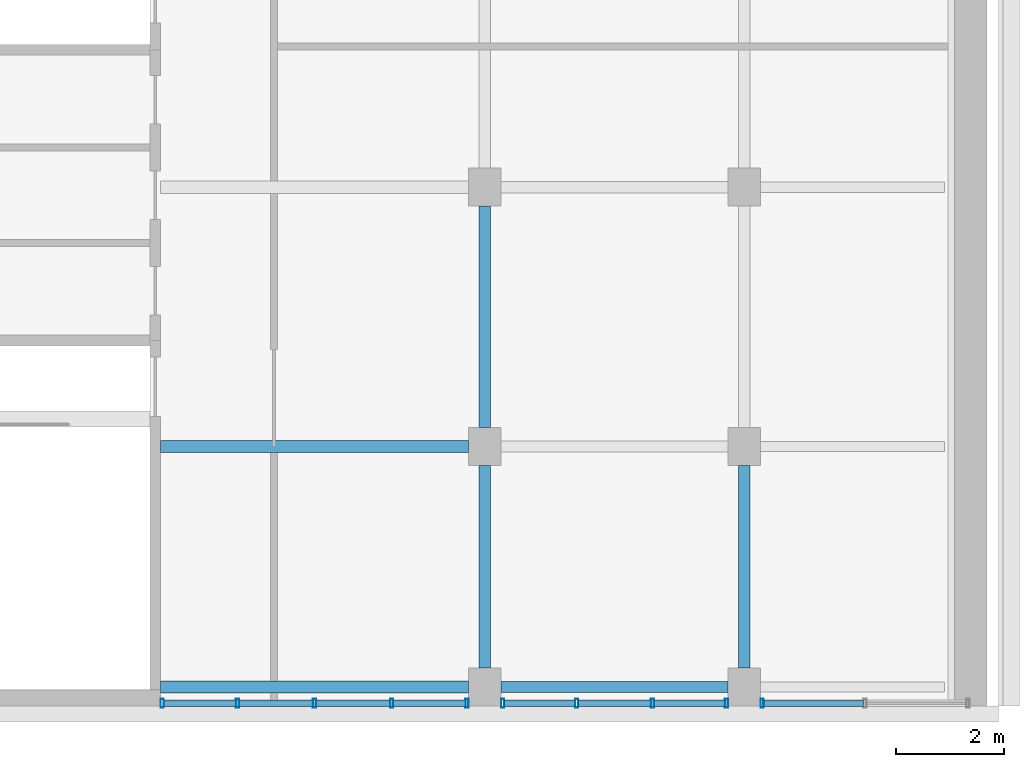
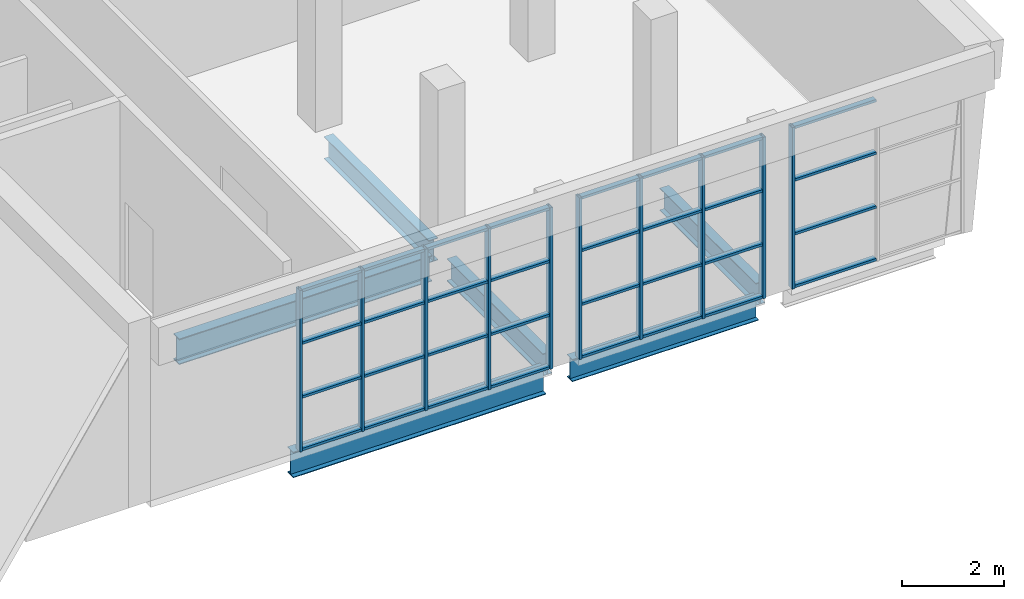
# One storey, part 7 of 22: 42 members, 6 beams, 3 elements without a shape of their own.
"""IFC4 building model written with IfcOpenShell, lengths in metres."""

import ifcopenshell
import ifcopenshell.guid

model = None  # the IFC model being written
_history = None  # IfcOwnerHistory: only IFC2X3 demands one
_inside = {}  # id of a spatial element -> (the spatial element, [elements in it])
_under = {}  # id of a project, library or spatial element -> (it, [spatial elements below it])
_declared = {}  # id of a project -> (the project, [libraries it declares])
_typed = {}  # id of a type object -> (the type object, [elements of that type])
_made_of = {}  # id of a material, layer set ... -> (it, [elements and type objects made of it])


def new_model(schema):
    """Start an empty IFC model of exactly this schema.

    Asked for "IFC4X3", IfcOpenShell would pick the latest addendum, in which some entities
    have other attributes; the version numbers below select the first issue.
    IFC2X3 requires an IfcOwnerHistory on every rooted entity: one is made here for all.
    """
    global model, _history
    if schema == "IFC4X3":
        model = ifcopenshell.file(schema_version=(4, 3, 0, 0))
    else:
        model = ifcopenshell.file(schema=schema)
    _inside.clear()
    _under.clear()
    _declared.clear()
    _typed.clear()
    _made_of.clear()
    _history = None
    if model.schema == "IFC2X3":
        org = make("IfcOrganization", Name="unknown")
        user = make(
            "IfcPersonAndOrganization",
            ThePerson=make("IfcPerson", FamilyName="unknown"),
            TheOrganization=org,
        )
        app = make(
            "IfcApplication",
            ApplicationDeveloper=org,
            Version="unknown",
            ApplicationFullName="unknown",
            ApplicationIdentifier="unknown",
        )
        _history = make(
            "IfcOwnerHistory",
            OwningUser=user,
            OwningApplication=app,
            ChangeAction="ADDED",
            CreationDate=0,
        )
    return model


def make(cls, **values):
    """One entity of the class cls with the attributes given. An attribute that is None is left unset."""
    return model.create_entity(
        cls, **{name: value for name, value in values.items() if value is not None}
    )


def rooted(cls, **values):
    """An entity with a GlobalId (a new one), such as an element, a storey or a relation."""
    return make(cls, GlobalId=ifcopenshell.guid.new(), OwnerHistory=_history, **values)


def si_unit(unit_type, name, prefix=None):
    """IfcSIUnit, for example si_unit("LENGTHUNIT", "METRE", prefix="MILLI")."""
    return make("IfcSIUnit", UnitType=unit_type, Prefix=prefix, Name=name)


def assignment(units):
    """IfcUnitAssignment: the units of a project."""
    return None if units is None else make("IfcUnitAssignment", Units=units)


def point(xyz):
    """IfcCartesianPoint."""
    return None if xyz is None else make("IfcCartesianPoint", Coordinates=xyz)


def direction(xyz):
    """IfcDirection."""
    return None if xyz is None else make("IfcDirection", DirectionRatios=xyz)


def frame(location, z_axis=None, x_axis=None):
    """IfcAxis2Placement3D, a coordinate frame: its origin and axes. An axis left out is left unset."""
    return make(
        "IfcAxis2Placement3D",
        Location=point(location),
        Axis=direction(z_axis),
        RefDirection=direction(x_axis),
    )


def frame_2d(location, x_axis=None):
    """IfcAxis2Placement2D, a coordinate frame in the plane: its origin and x axis."""
    return make(
        "IfcAxis2Placement2D", Location=point(location), RefDirection=direction(x_axis)
    )


def origin():
    """The frame at (0, 0, 0) with its axes left unset."""
    return frame((0.0, 0.0, 0.0))


def origin_2d():
    """The frame at (0, 0) in the plane with its x axis left unset."""
    return frame_2d((0.0, 0.0))


def place(relative_to, where):
    """IfcLocalPlacement: puts the frame where relative to a parent placement (None: the world)."""
    return make(
        "IfcLocalPlacement", PlacementRelTo=relative_to, RelativePlacement=where
    )


def context(
    kind, dimensions, precision=None, world=None, true_north=None, identifier=None
):
    """IfcGeometricRepresentationContext, for example the 3D "Model" context."""
    return make(
        "IfcGeometricRepresentationContext",
        ContextIdentifier=identifier,
        ContextType=kind,
        CoordinateSpaceDimension=dimensions,
        Precision=precision,
        WorldCoordinateSystem=world,
        TrueNorth=true_north,
    )


def subcontext(parent, identifier, kind, view, scale=None):
    """IfcGeometricRepresentationSubContext, for example "Body" below "Model"."""
    return make(
        "IfcGeometricRepresentationSubContext",
        ContextIdentifier=identifier,
        ContextType=kind,
        ParentContext=parent,
        TargetScale=scale,
        TargetView=view,
    )


def project(units=None, contexts=None):
    """IfcProject with its units and contexts."""
    return rooted(
        "IfcProject",
        Name="project",
        RepresentationContexts=contexts,
        UnitsInContext=assignment(units),
    )


def spatial(cls, under=None, at=None, **own):
    """A site, building, storey or space (cls), placed at a placement, below another one or the project."""
    s = rooted(cls, ObjectPlacement=at, **own)
    if under is not None:
        _under.setdefault(under.id(), (under, []))[1].append(s)
    return s


def profile(cls, at=None, kind="AREA", **sizes):
    """A parametric profile (cls). Its sizes go by their IFC names, for example OverallWidth=200.0."""
    return make(cls, ProfileType=kind, Position=at, **sizes)


def hollow_rectangle(**sizes):
    """IfcRectangleHollowProfileDef."""
    return profile("IfcRectangleHollowProfileDef", **sizes)


def i_section(**sizes):
    """IfcIShapeProfileDef."""
    return profile("IfcIShapeProfileDef", **sizes)


def extrude(swept, where, along, depth):
    """IfcExtrudedAreaSolid: the profile swept, set in the frame where, extruded along a direction by depth."""
    return make(
        "IfcExtrudedAreaSolid",
        SweptArea=swept,
        Position=where,
        ExtrudedDirection=direction(along),
        Depth=depth,
    )


def shape(context_of_items, identifier, shape_type, items):
    """IfcShapeRepresentation: the items that make up one representation, for example the "Body"."""
    return make(
        "IfcShapeRepresentation",
        ContextOfItems=context_of_items,
        RepresentationIdentifier=identifier,
        RepresentationType=shape_type,
        Items=items,
    )


def material(Name=None, Category=None):
    """IfcMaterial."""
    return make("IfcMaterial", Name=Name, Category=Category)


def layer(
    of_material, thickness, ventilated=None, Name=None, Category=None, Priority=None
):
    """IfcMaterialLayer: one layer of a wall or slab, of a material (None: an air gap)."""
    return make(
        "IfcMaterialLayer",
        Material=of_material,
        LayerThickness=thickness,
        IsVentilated=ventilated,
        Name=Name,
        Category=Category,
        Priority=Priority,
    )


def layer_set(layers, Name=None):
    """IfcMaterialLayerSet."""
    return make("IfcMaterialLayerSet", MaterialLayers=layers, LayerSetName=Name)


def material_profile(
    of_material, cross_section, Name=None, Category=None, Priority=None
):
    """IfcMaterialProfile: a cross section and its material."""
    return make(
        "IfcMaterialProfile",
        Name=Name,
        Material=of_material,
        Profile=cross_section,
        Priority=Priority,
        Category=Category,
    )


def profile_set(profiles, Name=None, composite=None):
    """IfcMaterialProfileSet."""
    return make(
        "IfcMaterialProfileSet",
        Name=Name,
        MaterialProfiles=profiles,
        CompositeProfile=composite,
    )


def made_of(thing, what):
    """Note that an element or type object is made of a material, layer set ...; save() writes the relation."""
    if what is not None:
        _made_of.setdefault(what.id(), (what, []))[1].append(thing)
    return thing


def type_object(cls, material=None, **own):
    """A type object (cls), such as IfcWallType, which elements share."""
    return made_of(rooted(cls, **own), material)


def element(
    cls,
    number,
    at=None,
    inside=None,
    cuts=None,
    type_object=None,
    material=None,
    context=None,
    identifier="Body",
    shape_type=None,
    held_by="IfcProductDefinitionShape",
    body=None,
    shapes=None,
    **own,
):
    """One element of the class cls, such as IfcWall. Its Tag is "e" and its number.

    at: its placement. inside: the storey or other place that contains it. cuts: it is an
    opening in that element (IfcRelVoidsElement). A single representation is given by context,
    identifier, shape_type and body (its items); several are given by shapes. held_by: the class
    of the entity that holds the representations. save() writes the other relations.
    """
    e = rooted(cls, Tag="e%d" % number, ObjectPlacement=at, **own)
    if body is not None:
        shapes = [shape(context, identifier, shape_type, body)]
    if shapes is not None:
        e.Representation = make(held_by, Representations=shapes)
    if inside is not None:
        _inside.setdefault(inside.id(), (inside, []))[1].append(e)
    if cuts is not None:
        rooted(
            "IfcRelVoidsElement", RelatingBuildingElement=cuts, RelatedOpeningElement=e
        )
    if type_object is not None:
        _typed.setdefault(type_object.id(), (type_object, []))[1].append(e)
    return made_of(e, material)


def aggregate(whole, parts):
    """IfcRelAggregates: a whole, such as a stair, and the parts it consists of."""
    return rooted("IfcRelAggregates", RelatingObject=whole, RelatedObjects=parts)


def save(model, path):
    """Write the relations noted so far, then the file.

    IfcRelAggregates (storeys below a building ...), IfcRelContainedInSpatialStructure (elements
    in a storey), IfcRelDefinesByType, IfcRelAssociatesMaterial and IfcRelDeclares: one each for
    every whole, place, type object, material and project.
    """
    for whole, parts in _under.values():
        aggregate(whole, parts)
    for where, things in _inside.values():
        rooted(
            "IfcRelContainedInSpatialStructure",
            RelatedElements=things,
            RelatingStructure=where,
        )
    for kind, things in _typed.values():
        rooted("IfcRelDefinesByType", RelatedObjects=things, RelatingType=kind)
    for what, things in _made_of.values():
        rooted("IfcRelAssociatesMaterial", RelatedObjects=things, RelatingMaterial=what)
    for by, libraries in _declared.values():
        rooted("IfcRelDeclares", RelatingContext=by, RelatedDefinitions=libraries)
    model.write(path)


model = new_model("IFC4")

# Units and contexts
model_context = context("Model", 3, precision=1e-05, world=origin(), true_north=direction((0.0, 1.0)))
body_context = subcontext(model_context, "Body", "Model", "MODEL_VIEW")
ifc_project = project(units=[si_unit("LENGTHUNIT", "METRE"), si_unit("AREAUNIT", "SQUARE_METRE"), si_unit("VOLUMEUNIT", "CUBIC_METRE"), si_unit("PLANEANGLEUNIT", "RADIAN"), si_unit("MASSUNIT", "GRAM", prefix="KILO")], contexts=[model_context])

# Site, building, storey
site_placement = place(None, origin())
site = spatial("IfcSite", under=ifc_project, at=site_placement, CompositionType="ELEMENT")
building_placement = place(site_placement, origin())
building = spatial("IfcBuilding", under=site, at=building_placement, Name="Baori Bourse Tower", CompositionType="ELEMENT")
storey_placement = place(building_placement, frame((0.0, 0.0, 25.800048828125)))
storey = spatial("IfcBuildingStorey", under=building, at=storey_placement, Name="L04", CompositionType="ELEMENT", Elevation=25.800048828125)

# Beams
ifc_material_1 = material(Name="Steel A992 Gr 50", Category="steel")
ifc_material_profile_1 = material_profile(ifc_material_1, i_section(OverallWidth=0.209228515625, OverallDepth=0.533447265625, WebThickness=0.01025390625, FlangeThickness=0.015625, at=origin_2d()), Name="W21x62")
ifc_profile_set_1 = profile_set([ifc_material_profile_1], Name="Steel A992 Gr 50")
beam_type_1 = type_object("IfcBeamType", Name="Wing beam W21x62", PredefinedType="BEAM", material=ifc_profile_set_1)
beam_1_placement = place(storey_placement, frame((71.699951171875, -24.85009765625, -0.4267578125), z_axis=(-1.0, 0.0, 0.0), x_axis=(0.0, -1.0, 0.0)))
element("IfcBeam", 1, at=beam_1_placement, inside=storey, type_object=beam_type_1, Name="wing/L04/Ebeam/002", PredefinedType="BEAM", context=body_context, shape_type="SweptSolid", body=[
    extrude(i_section(OverallWidth=0.209228515625, OverallDepth=0.533447265625, WebThickness=0.01025390625, FlangeThickness=0.015625, at=origin_2d()), origin(), (0.0, 0.0, 1.0), 4.199951171875),
])
for number, where, z_axis, x_axis, name in (
    (2, (72.0, -24.5, -0.4267578125), (0.0, 1.0, 0.0), (-1.0, 0.0, 0.0), "wing/L04/Ebeamy/001"),
    (3, (67.199951171875, -24.5, -0.4267578125), (0.0, 1.0, 0.0), (-1.0, 0.0, 0.0), "wing/L04/Ebeamy/006"),
):
    element("IfcBeam", number, at=place(storey_placement, frame(where, z_axis=z_axis, x_axis=x_axis)), inside=storey, type_object=beam_type_1, Name=name, PredefinedType="BEAM", context=body_context, shape_type="SweptSolid", body=[
        extrude(i_section(OverallWidth=0.209228515625, OverallDepth=0.533447265625, WebThickness=0.01025390625, FlangeThickness=0.015625, at=origin_2d()), origin(), (0.0, 0.0, 1.0), 3.75),
    ])
beam_2_placement = place(storey_placement, frame((67.199951171875, -20.050048828125, -0.4267578125), z_axis=(0.0, 1.0, 0.0), x_axis=(-1.0, 0.0, 0.0)))
element("IfcBeam", 4, at=beam_2_placement, inside=storey, type_object=beam_type_1, Name="wing/L04/Ebeamy/007", PredefinedType="BEAM", context=body_context, shape_type="SweptSolid", body=[
    extrude(i_section(OverallWidth=0.209228515625, OverallDepth=0.533447265625, WebThickness=0.01025390625, FlangeThickness=0.015625, at=origin_2d()), origin(), (0.0, 0.0, 1.0), 4.10009765625),
])
ifc_material_2 = material(Name="Steel A992 Gr 50", Category="steel")
ifc_material_profile_2 = material_profile(ifc_material_2, i_section(OverallWidth=0.22900390625, OverallDepth=0.612060546875, WebThickness=0.011962890625, FlangeThickness=0.01953125, at=origin_2d()), Name="W24x84")
ifc_profile_set_2 = profile_set([ifc_material_profile_2], Name="Steel A992 Gr 50")
beam_type_2 = type_object("IfcBeamType", Name="Wing beam W24x84", PredefinedType="BEAM", material=ifc_profile_set_2)
for number, where, z_axis, x_axis, name in (
    (5, (66.89990234375, -24.85009765625, -0.466064453125), (-1.0, 0.0, 0.0), (0.0, -1.0, 0.0), "wing/L04/Ebeam/003"),
    (6, (66.89990234375, -20.39990234375, -0.466064453125), (-1.0, 0.0, 0.0), (0.0, -1.0, 0.0), "wing/L04/Ebeam/006"),
):
    element("IfcBeam", number, at=place(storey_placement, frame(where, z_axis=z_axis, x_axis=x_axis)), inside=storey, type_object=beam_type_2, Name=name, PredefinedType="BEAM", context=body_context, shape_type="SweptSolid", body=[
        extrude(i_section(OverallWidth=0.22900390625, OverallDepth=0.612060546875, WebThickness=0.011962890625, FlangeThickness=0.01953125, at=origin_2d()), origin(), (0.0, 0.0, 1.0), 5.699951171875),
    ])

# Curtain wall, member
ifc_material_3 = material(Name="Pale anodised aluminium", Category="aluminium")
ifc_layer = layer(ifc_material_3, 0.10009765625)
ifc_layer_set = layer_set([ifc_layer], Name="Wing curtain wall")
curtain_wall_type = type_object("IfcCurtainWallType", Name="Wing curtain wall", PredefinedType="NOTDEFINED", material=ifc_layer_set)
curtain_wall_1_placement = place(storey_placement, origin())
curtain_wall_1 = element("IfcCurtainWall", 7, at=curtain_wall_1_placement, inside=storey, type_object=curtain_wall_type, Name="wing/L04/Ecw/001", PredefinedType="NOTDEFINED")
ifc_material_4 = material(Name="Pale anodised aluminium", Category="aluminium")
ifc_material_profile_3 = material_profile(ifc_material_4, hollow_rectangle(XDim=0.159912109375, YDim=0.06005859375, WallThickness=0.0048828125, at=origin_2d()), Name="Mullion 160x60x5")
ifc_profile_set_3 = profile_set([ifc_material_profile_3], Name="Pale anodised aluminium")
member_type_1 = type_object("IfcMemberType", Name="Wing mullion 60x160", PredefinedType="MULLION", material=ifc_profile_set_3)
member_1_placement = place(storey_placement, frame((72.330078125, -25.14990234375, 0.0), z_axis=(0.0, 0.0, 1.0), x_axis=(0.0, 1.0, 0.0)))
member_1 = element("IfcMember", 8, at=member_1_placement, type_object=member_type_1, Name="X12 mullion 1", PredefinedType="MULLION", context=body_context, shape_type="SweptSolid", body=[
    extrude(hollow_rectangle(XDim=0.159912109375, YDim=0.06005859375, WallThickness=0.0048828125, at=origin_2d()), origin(), (0.0, 0.0, 1.0), 3.849853515625),
])

# Curtain wall, members
curtain_wall_2_placement = place(storey_placement, origin())
curtain_wall_2 = element("IfcCurtainWall", 9, at=curtain_wall_2_placement, inside=storey, type_object=curtain_wall_type, Name="wing/L04/Ecw/002", PredefinedType="NOTDEFINED")
member_2_placement = place(storey_placement, frame((67.530029296875, -25.14990234375, 0.0), z_axis=(0.0, 0.0, 1.0), x_axis=(0.0, 1.0, 0.0)))
member_2 = element("IfcMember", 10, at=member_2_placement, type_object=member_type_1, Name="X12 mullion 1", PredefinedType="MULLION", context=body_context, shape_type="SweptSolid", body=[
    extrude(hollow_rectangle(XDim=0.159912109375, YDim=0.06005859375, WallThickness=0.0048828125, at=origin_2d()), origin(), (0.0, 0.0, 1.0), 3.849853515625),
])
member_3_placement = place(storey_placement, frame((68.89990234375, -25.14990234375, 0.0), z_axis=(0.0, 0.0, 1.0), x_axis=(0.0, 1.0, 0.0)))
member_3 = element("IfcMember", 11, at=member_3_placement, type_object=member_type_1, Name="X12 mullion 2", PredefinedType="MULLION", context=body_context, shape_type="SweptSolid", body=[
    extrude(hollow_rectangle(XDim=0.159912109375, YDim=0.06005859375, WallThickness=0.0048828125, at=origin_2d()), origin(), (0.0, 0.0, 1.0), 3.849853515625),
])
member_4_placement = place(storey_placement, frame((70.300048828125, -25.14990234375, 0.0), z_axis=(0.0, 0.0, 1.0), x_axis=(0.0, 1.0, 0.0)))
member_4 = element("IfcMember", 12, at=member_4_placement, type_object=member_type_1, Name="X12 mullion 3", PredefinedType="MULLION", context=body_context, shape_type="SweptSolid", body=[
    extrude(hollow_rectangle(XDim=0.159912109375, YDim=0.06005859375, WallThickness=0.0048828125, at=origin_2d()), origin(), (0.0, 0.0, 1.0), 3.849853515625),
])
member_5_placement = place(storey_placement, frame((71.669921875, -25.14990234375, 0.0), z_axis=(0.0, 0.0, 1.0), x_axis=(0.0, 1.0, 0.0)))
member_5 = element("IfcMember", 13, at=member_5_placement, type_object=member_type_1, Name="X12 mullion 4", PredefinedType="MULLION", context=body_context, shape_type="SweptSolid", body=[
    extrude(hollow_rectangle(XDim=0.159912109375, YDim=0.06005859375, WallThickness=0.0048828125, at=origin_2d()), origin(), (0.0, 0.0, 1.0), 3.849853515625),
])

curtain_wall_3_placement = place(storey_placement, origin())
curtain_wall_3 = element("IfcCurtainWall", 14, at=curtain_wall_3_placement, inside=storey, type_object=curtain_wall_type, Name="wing/L04/Ecw/003", PredefinedType="NOTDEFINED")
member_6_placement = place(storey_placement, frame((61.22998046875, -25.14990234375, 0.0), z_axis=(0.0, 0.0, 1.0), x_axis=(0.0, 1.0, 0.0)))
member_6 = element("IfcMember", 15, at=member_6_placement, type_object=member_type_1, Name="X12 mullion 1", PredefinedType="MULLION", context=body_context, shape_type="SweptSolid", body=[
    extrude(hollow_rectangle(XDim=0.159912109375, YDim=0.06005859375, WallThickness=0.0048828125, at=origin_2d()), origin(), (0.0, 0.0, 1.0), 3.849853515625),
])
member_7_placement = place(storey_placement, frame((62.625, -25.14990234375, 0.0), z_axis=(0.0, 0.0, 1.0), x_axis=(0.0, 1.0, 0.0)))
member_7 = element("IfcMember", 16, at=member_7_placement, type_object=member_type_1, Name="X12 mullion 2", PredefinedType="MULLION", context=body_context, shape_type="SweptSolid", body=[
    extrude(hollow_rectangle(XDim=0.159912109375, YDim=0.06005859375, WallThickness=0.0048828125, at=origin_2d()), origin(), (0.0, 0.0, 1.0), 3.849853515625),
])
member_8_placement = place(storey_placement, frame((64.050048828125, -25.14990234375, 0.0), z_axis=(0.0, 0.0, 1.0), x_axis=(0.0, 1.0, 0.0)))
member_8 = element("IfcMember", 17, at=member_8_placement, type_object=member_type_1, Name="X12 mullion 3", PredefinedType="MULLION", context=body_context, shape_type="SweptSolid", body=[
    extrude(hollow_rectangle(XDim=0.159912109375, YDim=0.06005859375, WallThickness=0.0048828125, at=origin_2d()), origin(), (0.0, 0.0, 1.0), 3.849853515625),
])
member_9_placement = place(storey_placement, frame((65.47509765625, -25.14990234375, 0.0), z_axis=(0.0, 0.0, 1.0), x_axis=(0.0, 1.0, 0.0)))
member_9 = element("IfcMember", 18, at=member_9_placement, type_object=member_type_1, Name="X12 mullion 4", PredefinedType="MULLION", context=body_context, shape_type="SweptSolid", body=[
    extrude(hollow_rectangle(XDim=0.159912109375, YDim=0.06005859375, WallThickness=0.0048828125, at=origin_2d()), origin(), (0.0, 0.0, 1.0), 3.849853515625),
])
member_10_placement = place(storey_placement, frame((66.8701171875, -25.14990234375, 0.0), z_axis=(0.0, 0.0, 1.0), x_axis=(0.0, 1.0, 0.0)))
member_10 = element("IfcMember", 19, at=member_10_placement, type_object=member_type_1, Name="X12 mullion 5", PredefinedType="MULLION", context=body_context, shape_type="SweptSolid", body=[
    extrude(hollow_rectangle(XDim=0.159912109375, YDim=0.06005859375, WallThickness=0.0048828125, at=origin_2d()), origin(), (0.0, 0.0, 1.0), 3.849853515625),
])

# Member
ifc_material_5 = material(Name="Pale anodised aluminium", Category="aluminium")
ifc_material_profile_4 = material_profile(ifc_material_5, hollow_rectangle(XDim=0.1201171875, YDim=0.06005859375, WallThickness=0.0048828125, at=origin_2d()), Name="Transom 120x60x5")
ifc_profile_set_4 = profile_set([ifc_material_profile_4], Name="Pale anodised aluminium")
member_type_2 = type_object("IfcMemberType", Name="Wing transom 120x60", PredefinedType="USERDEFINED", material=ifc_profile_set_4)
member_11_placement = place(storey_placement, frame((72.360107421875, -25.14990234375, 0.030029296875), z_axis=(1.0, 0.0, 0.0), x_axis=(0.0, 1.0, 0.0)))
member_11 = element("IfcMember", 20, at=member_11_placement, type_object=member_type_2, Name="X12 transom 1.1", ObjectType="TRANSOM", PredefinedType="USERDEFINED", context=body_context, shape_type="SweptSolid", body=[
    extrude(hollow_rectangle(XDim=0.1201171875, YDim=0.06005859375, WallThickness=0.0048828125, at=origin_2d()), origin(), (0.0, 0.0, 1.0), 1.84423828125),
])

member_12_placement = place(storey_placement, frame((72.360107421875, -25.14990234375, 1.283203125), z_axis=(1.0, 0.0, 0.0), x_axis=(0.0, 1.0, 0.0)))
member_12 = element("IfcMember", 21, at=member_12_placement, type_object=member_type_2, Name="X12 transom 1.2", ObjectType="TRANSOM", PredefinedType="USERDEFINED", context=body_context, shape_type="SweptSolid", body=[
    extrude(hollow_rectangle(XDim=0.1201171875, YDim=0.06005859375, WallThickness=0.0048828125, at=origin_2d()), origin(), (0.0, 0.0, 1.0), 1.84423828125),
])

member_13_placement = place(storey_placement, frame((72.360107421875, -25.14990234375, 2.566650390625), z_axis=(1.0, 0.0, 0.0), x_axis=(0.0, 1.0, 0.0)))
member_13 = element("IfcMember", 22, at=member_13_placement, type_object=member_type_2, Name="X12 transom 1.3", ObjectType="TRANSOM", PredefinedType="USERDEFINED", context=body_context, shape_type="SweptSolid", body=[
    extrude(hollow_rectangle(XDim=0.1201171875, YDim=0.06005859375, WallThickness=0.0048828125, at=origin_2d()), origin(), (0.0, 0.0, 1.0), 1.84423828125),
])

member_14_placement = place(storey_placement, frame((72.360107421875, -25.14990234375, 3.820068359375), z_axis=(1.0, 0.0, 0.0), x_axis=(0.0, 1.0, 0.0)))
member_14 = element("IfcMember", 23, at=member_14_placement, type_object=member_type_2, Name="X12 transom 1.4", ObjectType="TRANSOM", PredefinedType="USERDEFINED", context=body_context, shape_type="SweptSolid", body=[
    extrude(hollow_rectangle(XDim=0.1201171875, YDim=0.06005859375, WallThickness=0.0048828125, at=origin_2d()), origin(), (0.0, 0.0, 1.0), 1.84423828125),
])

aggregate(curtain_wall_1, [member_1, member_11, member_12, member_13, member_14])

member_15_placement = place(storey_placement, frame((67.56005859375, -25.14990234375, 0.030029296875), z_axis=(1.0, 0.0, 0.0), x_axis=(0.0, 1.0, 0.0)))
member_15 = element("IfcMember", 24, at=member_15_placement, type_object=member_type_2, Name="X12 transom 1.1", ObjectType="TRANSOM", PredefinedType="USERDEFINED", context=body_context, shape_type="SweptSolid", body=[
    extrude(hollow_rectangle(XDim=0.1201171875, YDim=0.06005859375, WallThickness=0.0048828125, at=origin_2d()), origin(), (0.0, 0.0, 1.0), 1.31005859375),
])

member_16_placement = place(storey_placement, frame((67.56005859375, -25.14990234375, 1.283203125), z_axis=(1.0, 0.0, 0.0), x_axis=(0.0, 1.0, 0.0)))
member_16 = element("IfcMember", 25, at=member_16_placement, type_object=member_type_2, Name="X12 transom 1.2", ObjectType="TRANSOM", PredefinedType="USERDEFINED", context=body_context, shape_type="SweptSolid", body=[
    extrude(hollow_rectangle(XDim=0.1201171875, YDim=0.06005859375, WallThickness=0.0048828125, at=origin_2d()), origin(), (0.0, 0.0, 1.0), 1.31005859375),
])

member_17_placement = place(storey_placement, frame((67.56005859375, -25.14990234375, 2.566650390625), z_axis=(1.0, 0.0, 0.0), x_axis=(0.0, 1.0, 0.0)))
member_17 = element("IfcMember", 26, at=member_17_placement, type_object=member_type_2, Name="X12 transom 1.3", ObjectType="TRANSOM", PredefinedType="USERDEFINED", context=body_context, shape_type="SweptSolid", body=[
    extrude(hollow_rectangle(XDim=0.1201171875, YDim=0.06005859375, WallThickness=0.0048828125, at=origin_2d()), origin(), (0.0, 0.0, 1.0), 1.31005859375),
])

member_18_placement = place(storey_placement, frame((67.56005859375, -25.14990234375, 3.820068359375), z_axis=(1.0, 0.0, 0.0), x_axis=(0.0, 1.0, 0.0)))
member_18 = element("IfcMember", 27, at=member_18_placement, type_object=member_type_2, Name="X12 transom 1.4", ObjectType="TRANSOM", PredefinedType="USERDEFINED", context=body_context, shape_type="SweptSolid", body=[
    extrude(hollow_rectangle(XDim=0.1201171875, YDim=0.06005859375, WallThickness=0.0048828125, at=origin_2d()), origin(), (0.0, 0.0, 1.0), 1.31005859375),
])

member_19_placement = place(storey_placement, frame((68.929931640625, -25.14990234375, 0.030029296875), z_axis=(1.0, 0.0, 0.0), x_axis=(0.0, 1.0, 0.0)))
member_19 = element("IfcMember", 28, at=member_19_placement, type_object=member_type_2, Name="X12 transom 2.1", ObjectType="TRANSOM", PredefinedType="USERDEFINED", context=body_context, shape_type="SweptSolid", body=[
    extrude(hollow_rectangle(XDim=0.1201171875, YDim=0.06005859375, WallThickness=0.0048828125, at=origin_2d()), origin(), (0.0, 0.0, 1.0), 1.340087890625),
])

member_20_placement = place(storey_placement, frame((68.929931640625, -25.14990234375, 1.283203125), z_axis=(1.0, 0.0, 0.0), x_axis=(0.0, 1.0, 0.0)))
member_20 = element("IfcMember", 29, at=member_20_placement, type_object=member_type_2, Name="X12 transom 2.2", ObjectType="TRANSOM", PredefinedType="USERDEFINED", context=body_context, shape_type="SweptSolid", body=[
    extrude(hollow_rectangle(XDim=0.1201171875, YDim=0.06005859375, WallThickness=0.0048828125, at=origin_2d()), origin(), (0.0, 0.0, 1.0), 1.340087890625),
])

member_21_placement = place(storey_placement, frame((68.929931640625, -25.14990234375, 2.566650390625), z_axis=(1.0, 0.0, 0.0), x_axis=(0.0, 1.0, 0.0)))
member_21 = element("IfcMember", 30, at=member_21_placement, type_object=member_type_2, Name="X12 transom 2.3", ObjectType="TRANSOM", PredefinedType="USERDEFINED", context=body_context, shape_type="SweptSolid", body=[
    extrude(hollow_rectangle(XDim=0.1201171875, YDim=0.06005859375, WallThickness=0.0048828125, at=origin_2d()), origin(), (0.0, 0.0, 1.0), 1.340087890625),
])

member_22_placement = place(storey_placement, frame((68.929931640625, -25.14990234375, 3.820068359375), z_axis=(1.0, 0.0, 0.0), x_axis=(0.0, 1.0, 0.0)))
member_22 = element("IfcMember", 31, at=member_22_placement, type_object=member_type_2, Name="X12 transom 2.4", ObjectType="TRANSOM", PredefinedType="USERDEFINED", context=body_context, shape_type="SweptSolid", body=[
    extrude(hollow_rectangle(XDim=0.1201171875, YDim=0.06005859375, WallThickness=0.0048828125, at=origin_2d()), origin(), (0.0, 0.0, 1.0), 1.340087890625),
])

member_23_placement = place(storey_placement, frame((70.330078125, -25.14990234375, 0.030029296875), z_axis=(1.0, 0.0, 0.0), x_axis=(0.0, 1.0, 0.0)))
member_23 = element("IfcMember", 32, at=member_23_placement, type_object=member_type_2, Name="X12 transom 3.1", ObjectType="TRANSOM", PredefinedType="USERDEFINED", context=body_context, shape_type="SweptSolid", body=[
    extrude(hollow_rectangle(XDim=0.1201171875, YDim=0.06005859375, WallThickness=0.0048828125, at=origin_2d()), origin(), (0.0, 0.0, 1.0), 1.309814453125),
])

member_24_placement = place(storey_placement, frame((70.330078125, -25.14990234375, 1.283203125), z_axis=(1.0, 0.0, 0.0), x_axis=(0.0, 1.0, 0.0)))
member_24 = element("IfcMember", 33, at=member_24_placement, type_object=member_type_2, Name="X12 transom 3.2", ObjectType="TRANSOM", PredefinedType="USERDEFINED", context=body_context, shape_type="SweptSolid", body=[
    extrude(hollow_rectangle(XDim=0.1201171875, YDim=0.06005859375, WallThickness=0.0048828125, at=origin_2d()), origin(), (0.0, 0.0, 1.0), 1.309814453125),
])

member_25_placement = place(storey_placement, frame((70.330078125, -25.14990234375, 2.566650390625), z_axis=(1.0, 0.0, 0.0), x_axis=(0.0, 1.0, 0.0)))
member_25 = element("IfcMember", 34, at=member_25_placement, type_object=member_type_2, Name="X12 transom 3.3", ObjectType="TRANSOM", PredefinedType="USERDEFINED", context=body_context, shape_type="SweptSolid", body=[
    extrude(hollow_rectangle(XDim=0.1201171875, YDim=0.06005859375, WallThickness=0.0048828125, at=origin_2d()), origin(), (0.0, 0.0, 1.0), 1.309814453125),
])

member_26_placement = place(storey_placement, frame((70.330078125, -25.14990234375, 3.820068359375), z_axis=(1.0, 0.0, 0.0), x_axis=(0.0, 1.0, 0.0)))
member_26 = element("IfcMember", 35, at=member_26_placement, type_object=member_type_2, Name="X12 transom 3.4", ObjectType="TRANSOM", PredefinedType="USERDEFINED", context=body_context, shape_type="SweptSolid", body=[
    extrude(hollow_rectangle(XDim=0.1201171875, YDim=0.06005859375, WallThickness=0.0048828125, at=origin_2d()), origin(), (0.0, 0.0, 1.0), 1.309814453125),
])

aggregate(curtain_wall_2, [member_2, member_3, member_4, member_5, member_15, member_16, member_17, member_18, member_19, member_20, member_21, member_22, member_23, member_24, member_25, member_26])

member_27_placement = place(storey_placement, frame((61.260009765625, -25.14990234375, 0.030029296875), z_axis=(1.0, 0.0, 0.0), x_axis=(0.0, 1.0, 0.0)))
member_27 = element("IfcMember", 36, at=member_27_placement, type_object=member_type_2, Name="X12 transom 1.1", ObjectType="TRANSOM", PredefinedType="USERDEFINED", context=body_context, shape_type="SweptSolid", body=[
    extrude(hollow_rectangle(XDim=0.1201171875, YDim=0.06005859375, WallThickness=0.0048828125, at=origin_2d()), origin(), (0.0, 0.0, 1.0), 1.3349609375),
])

member_28_placement = place(storey_placement, frame((61.260009765625, -25.14990234375, 1.283203125), z_axis=(1.0, 0.0, 0.0), x_axis=(0.0, 1.0, 0.0)))
member_28 = element("IfcMember", 37, at=member_28_placement, type_object=member_type_2, Name="X12 transom 1.2", ObjectType="TRANSOM", PredefinedType="USERDEFINED", context=body_context, shape_type="SweptSolid", body=[
    extrude(hollow_rectangle(XDim=0.1201171875, YDim=0.06005859375, WallThickness=0.0048828125, at=origin_2d()), origin(), (0.0, 0.0, 1.0), 1.3349609375),
])

member_29_placement = place(storey_placement, frame((61.260009765625, -25.14990234375, 2.566650390625), z_axis=(1.0, 0.0, 0.0), x_axis=(0.0, 1.0, 0.0)))
member_29 = element("IfcMember", 38, at=member_29_placement, type_object=member_type_2, Name="X12 transom 1.3", ObjectType="TRANSOM", PredefinedType="USERDEFINED", context=body_context, shape_type="SweptSolid", body=[
    extrude(hollow_rectangle(XDim=0.1201171875, YDim=0.06005859375, WallThickness=0.0048828125, at=origin_2d()), origin(), (0.0, 0.0, 1.0), 1.3349609375),
])

member_30_placement = place(storey_placement, frame((61.260009765625, -25.14990234375, 3.820068359375), z_axis=(1.0, 0.0, 0.0), x_axis=(0.0, 1.0, 0.0)))
member_30 = element("IfcMember", 39, at=member_30_placement, type_object=member_type_2, Name="X12 transom 1.4", ObjectType="TRANSOM", PredefinedType="USERDEFINED", context=body_context, shape_type="SweptSolid", body=[
    extrude(hollow_rectangle(XDim=0.1201171875, YDim=0.06005859375, WallThickness=0.0048828125, at=origin_2d()), origin(), (0.0, 0.0, 1.0), 1.3349609375),
])

member_31_placement = place(storey_placement, frame((62.655029296875, -25.14990234375, 0.030029296875), z_axis=(1.0, 0.0, 0.0), x_axis=(0.0, 1.0, 0.0)))
member_31 = element("IfcMember", 40, at=member_31_placement, type_object=member_type_2, Name="X12 transom 2.1", ObjectType="TRANSOM", PredefinedType="USERDEFINED", context=body_context, shape_type="SweptSolid", body=[
    extrude(hollow_rectangle(XDim=0.1201171875, YDim=0.06005859375, WallThickness=0.0048828125, at=origin_2d()), origin(), (0.0, 0.0, 1.0), 1.364990234375),
])

member_32_placement = place(storey_placement, frame((62.655029296875, -25.14990234375, 1.283203125), z_axis=(1.0, 0.0, 0.0), x_axis=(0.0, 1.0, 0.0)))
member_32 = element("IfcMember", 41, at=member_32_placement, type_object=member_type_2, Name="X12 transom 2.2", ObjectType="TRANSOM", PredefinedType="USERDEFINED", context=body_context, shape_type="SweptSolid", body=[
    extrude(hollow_rectangle(XDim=0.1201171875, YDim=0.06005859375, WallThickness=0.0048828125, at=origin_2d()), origin(), (0.0, 0.0, 1.0), 1.364990234375),
])

member_33_placement = place(storey_placement, frame((62.655029296875, -25.14990234375, 2.566650390625), z_axis=(1.0, 0.0, 0.0), x_axis=(0.0, 1.0, 0.0)))
member_33 = element("IfcMember", 42, at=member_33_placement, type_object=member_type_2, Name="X12 transom 2.3", ObjectType="TRANSOM", PredefinedType="USERDEFINED", context=body_context, shape_type="SweptSolid", body=[
    extrude(hollow_rectangle(XDim=0.1201171875, YDim=0.06005859375, WallThickness=0.0048828125, at=origin_2d()), origin(), (0.0, 0.0, 1.0), 1.364990234375),
])

member_34_placement = place(storey_placement, frame((62.655029296875, -25.14990234375, 3.820068359375), z_axis=(1.0, 0.0, 0.0), x_axis=(0.0, 1.0, 0.0)))
member_34 = element("IfcMember", 43, at=member_34_placement, type_object=member_type_2, Name="X12 transom 2.4", ObjectType="TRANSOM", PredefinedType="USERDEFINED", context=body_context, shape_type="SweptSolid", body=[
    extrude(hollow_rectangle(XDim=0.1201171875, YDim=0.06005859375, WallThickness=0.0048828125, at=origin_2d()), origin(), (0.0, 0.0, 1.0), 1.364990234375),
])

member_35_placement = place(storey_placement, frame((64.080078125, -25.14990234375, 0.030029296875), z_axis=(1.0, 0.0, 0.0), x_axis=(0.0, 1.0, 0.0)))
member_35 = element("IfcMember", 44, at=member_35_placement, type_object=member_type_2, Name="X12 transom 3.1", ObjectType="TRANSOM", PredefinedType="USERDEFINED", context=body_context, shape_type="SweptSolid", body=[
    extrude(hollow_rectangle(XDim=0.1201171875, YDim=0.06005859375, WallThickness=0.0048828125, at=origin_2d()), origin(), (0.0, 0.0, 1.0), 1.364990234375),
])

member_36_placement = place(storey_placement, frame((64.080078125, -25.14990234375, 1.283203125), z_axis=(1.0, 0.0, 0.0), x_axis=(0.0, 1.0, 0.0)))
member_36 = element("IfcMember", 45, at=member_36_placement, type_object=member_type_2, Name="X12 transom 3.2", ObjectType="TRANSOM", PredefinedType="USERDEFINED", context=body_context, shape_type="SweptSolid", body=[
    extrude(hollow_rectangle(XDim=0.1201171875, YDim=0.06005859375, WallThickness=0.0048828125, at=origin_2d()), origin(), (0.0, 0.0, 1.0), 1.364990234375),
])

member_37_placement = place(storey_placement, frame((64.080078125, -25.14990234375, 2.566650390625), z_axis=(1.0, 0.0, 0.0), x_axis=(0.0, 1.0, 0.0)))
member_37 = element("IfcMember", 46, at=member_37_placement, type_object=member_type_2, Name="X12 transom 3.3", ObjectType="TRANSOM", PredefinedType="USERDEFINED", context=body_context, shape_type="SweptSolid", body=[
    extrude(hollow_rectangle(XDim=0.1201171875, YDim=0.06005859375, WallThickness=0.0048828125, at=origin_2d()), origin(), (0.0, 0.0, 1.0), 1.364990234375),
])

member_38_placement = place(storey_placement, frame((64.080078125, -25.14990234375, 3.820068359375), z_axis=(1.0, 0.0, 0.0), x_axis=(0.0, 1.0, 0.0)))
member_38 = element("IfcMember", 47, at=member_38_placement, type_object=member_type_2, Name="X12 transom 3.4", ObjectType="TRANSOM", PredefinedType="USERDEFINED", context=body_context, shape_type="SweptSolid", body=[
    extrude(hollow_rectangle(XDim=0.1201171875, YDim=0.06005859375, WallThickness=0.0048828125, at=origin_2d()), origin(), (0.0, 0.0, 1.0), 1.364990234375),
])

member_39_placement = place(storey_placement, frame((65.5048828125, -25.14990234375, 0.030029296875), z_axis=(1.0, 0.0, 0.0), x_axis=(0.0, 1.0, 0.0)))
member_39 = element("IfcMember", 48, at=member_39_placement, type_object=member_type_2, Name="X12 transom 4.1", ObjectType="TRANSOM", PredefinedType="USERDEFINED", context=body_context, shape_type="SweptSolid", body=[
    extrude(hollow_rectangle(XDim=0.1201171875, YDim=0.06005859375, WallThickness=0.0048828125, at=origin_2d()), origin(), (0.0, 0.0, 1.0), 1.335205078125),
])

member_40_placement = place(storey_placement, frame((65.5048828125, -25.14990234375, 1.283203125), z_axis=(1.0, 0.0, 0.0), x_axis=(0.0, 1.0, 0.0)))
member_40 = element("IfcMember", 49, at=member_40_placement, type_object=member_type_2, Name="X12 transom 4.2", ObjectType="TRANSOM", PredefinedType="USERDEFINED", context=body_context, shape_type="SweptSolid", body=[
    extrude(hollow_rectangle(XDim=0.1201171875, YDim=0.06005859375, WallThickness=0.0048828125, at=origin_2d()), origin(), (0.0, 0.0, 1.0), 1.335205078125),
])

member_41_placement = place(storey_placement, frame((65.5048828125, -25.14990234375, 2.566650390625), z_axis=(1.0, 0.0, 0.0), x_axis=(0.0, 1.0, 0.0)))
member_41 = element("IfcMember", 50, at=member_41_placement, type_object=member_type_2, Name="X12 transom 4.3", ObjectType="TRANSOM", PredefinedType="USERDEFINED", context=body_context, shape_type="SweptSolid", body=[
    extrude(hollow_rectangle(XDim=0.1201171875, YDim=0.06005859375, WallThickness=0.0048828125, at=origin_2d()), origin(), (0.0, 0.0, 1.0), 1.335205078125),
])

member_42_placement = place(storey_placement, frame((65.5048828125, -25.14990234375, 3.820068359375), z_axis=(1.0, 0.0, 0.0), x_axis=(0.0, 1.0, 0.0)))
member_42 = element("IfcMember", 51, at=member_42_placement, type_object=member_type_2, Name="X12 transom 4.4", ObjectType="TRANSOM", PredefinedType="USERDEFINED", context=body_context, shape_type="SweptSolid", body=[
    extrude(hollow_rectangle(XDim=0.1201171875, YDim=0.06005859375, WallThickness=0.0048828125, at=origin_2d()), origin(), (0.0, 0.0, 1.0), 1.335205078125),
])

aggregate(curtain_wall_3, [member_6, member_7, member_8, member_9, member_10, member_27, member_28, member_29, member_30, member_31, member_32, member_33, member_34, member_35, member_36, member_37, member_38, member_39, member_40, member_41, member_42])

save(model, "model.ifc")
